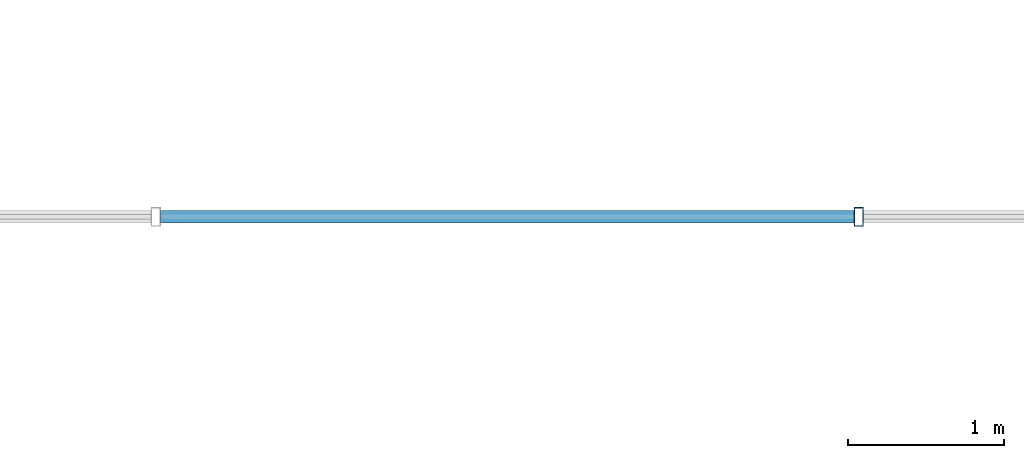
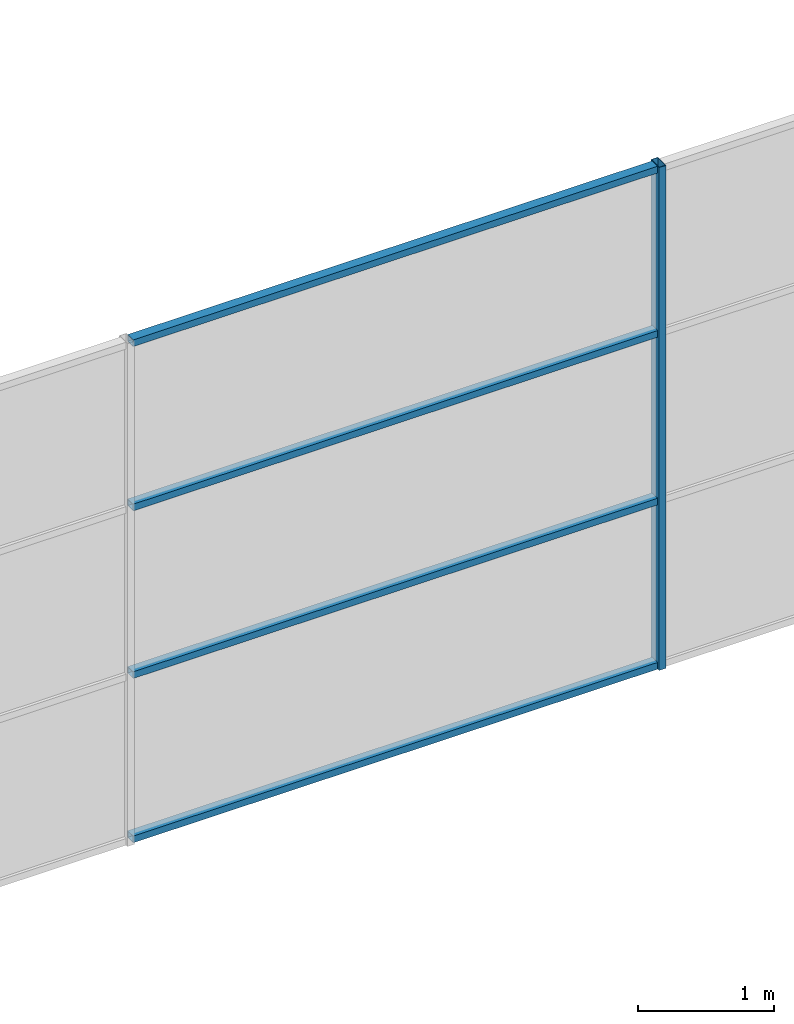
# One storey, part 21 of 111: 5 members, 1 element without a shape of its own.
"""IFC4 building model written with IfcOpenShell, lengths in metres."""

import ifcopenshell
import ifcopenshell.guid

model = None  # the IFC model being written
_history = None  # IfcOwnerHistory: only IFC2X3 demands one
_inside = {}  # id of a spatial element -> (the spatial element, [elements in it])
_under = {}  # id of a project, library or spatial element -> (it, [spatial elements below it])
_declared = {}  # id of a project -> (the project, [libraries it declares])
_typed = {}  # id of a type object -> (the type object, [elements of that type])
_made_of = {}  # id of a material, layer set ... -> (it, [elements and type objects made of it])


def new_model(schema):
    """Start an empty IFC model of exactly this schema.

    Asked for "IFC4X3", IfcOpenShell would pick the latest addendum, in which some entities
    have other attributes; the version numbers below select the first issue.
    IFC2X3 requires an IfcOwnerHistory on every rooted entity: one is made here for all.
    """
    global model, _history
    if schema == "IFC4X3":
        model = ifcopenshell.file(schema_version=(4, 3, 0, 0))
    else:
        model = ifcopenshell.file(schema=schema)
    _inside.clear()
    _under.clear()
    _declared.clear()
    _typed.clear()
    _made_of.clear()
    _history = None
    if model.schema == "IFC2X3":
        org = make("IfcOrganization", Name="unknown")
        user = make(
            "IfcPersonAndOrganization",
            ThePerson=make("IfcPerson", FamilyName="unknown"),
            TheOrganization=org,
        )
        app = make(
            "IfcApplication",
            ApplicationDeveloper=org,
            Version="unknown",
            ApplicationFullName="unknown",
            ApplicationIdentifier="unknown",
        )
        _history = make(
            "IfcOwnerHistory",
            OwningUser=user,
            OwningApplication=app,
            ChangeAction="ADDED",
            CreationDate=0,
        )
    return model


def make(cls, **values):
    """One entity of the class cls with the attributes given. An attribute that is None is left unset."""
    return model.create_entity(
        cls, **{name: value for name, value in values.items() if value is not None}
    )


def rooted(cls, **values):
    """An entity with a GlobalId (a new one), such as an element, a storey or a relation."""
    return make(cls, GlobalId=ifcopenshell.guid.new(), OwnerHistory=_history, **values)


def si_unit(unit_type, name, prefix=None):
    """IfcSIUnit, for example si_unit("LENGTHUNIT", "METRE", prefix="MILLI")."""
    return make("IfcSIUnit", UnitType=unit_type, Prefix=prefix, Name=name)


def assignment(units):
    """IfcUnitAssignment: the units of a project."""
    return None if units is None else make("IfcUnitAssignment", Units=units)


def point(xyz):
    """IfcCartesianPoint."""
    return None if xyz is None else make("IfcCartesianPoint", Coordinates=xyz)


def direction(xyz):
    """IfcDirection."""
    return None if xyz is None else make("IfcDirection", DirectionRatios=xyz)


def frame(location, z_axis=None, x_axis=None):
    """IfcAxis2Placement3D, a coordinate frame: its origin and axes. An axis left out is left unset."""
    return make(
        "IfcAxis2Placement3D",
        Location=point(location),
        Axis=direction(z_axis),
        RefDirection=direction(x_axis),
    )


def frame_2d(location, x_axis=None):
    """IfcAxis2Placement2D, a coordinate frame in the plane: its origin and x axis."""
    return make(
        "IfcAxis2Placement2D", Location=point(location), RefDirection=direction(x_axis)
    )


def origin():
    """The frame at (0, 0, 0) with its axes left unset."""
    return frame((0.0, 0.0, 0.0))


def origin_2d():
    """The frame at (0, 0) in the plane with its x axis left unset."""
    return frame_2d((0.0, 0.0))


def place(relative_to, where):
    """IfcLocalPlacement: puts the frame where relative to a parent placement (None: the world)."""
    return make(
        "IfcLocalPlacement", PlacementRelTo=relative_to, RelativePlacement=where
    )


def context(
    kind, dimensions, precision=None, world=None, true_north=None, identifier=None
):
    """IfcGeometricRepresentationContext, for example the 3D "Model" context."""
    return make(
        "IfcGeometricRepresentationContext",
        ContextIdentifier=identifier,
        ContextType=kind,
        CoordinateSpaceDimension=dimensions,
        Precision=precision,
        WorldCoordinateSystem=world,
        TrueNorth=true_north,
    )


def subcontext(parent, identifier, kind, view, scale=None):
    """IfcGeometricRepresentationSubContext, for example "Body" below "Model"."""
    return make(
        "IfcGeometricRepresentationSubContext",
        ContextIdentifier=identifier,
        ContextType=kind,
        ParentContext=parent,
        TargetScale=scale,
        TargetView=view,
    )


def project(units=None, contexts=None):
    """IfcProject with its units and contexts."""
    return rooted(
        "IfcProject",
        Name="project",
        RepresentationContexts=contexts,
        UnitsInContext=assignment(units),
    )


def spatial(cls, under=None, at=None, **own):
    """A site, building, storey or space (cls), placed at a placement, below another one or the project."""
    s = rooted(cls, ObjectPlacement=at, **own)
    if under is not None:
        _under.setdefault(under.id(), (under, []))[1].append(s)
    return s


def profile(cls, at=None, kind="AREA", **sizes):
    """A parametric profile (cls). Its sizes go by their IFC names, for example OverallWidth=200.0."""
    return make(cls, ProfileType=kind, Position=at, **sizes)


def hollow_rectangle(**sizes):
    """IfcRectangleHollowProfileDef."""
    return profile("IfcRectangleHollowProfileDef", **sizes)


def extrude(swept, where, along, depth):
    """IfcExtrudedAreaSolid: the profile swept, set in the frame where, extruded along a direction by depth."""
    return make(
        "IfcExtrudedAreaSolid",
        SweptArea=swept,
        Position=where,
        ExtrudedDirection=direction(along),
        Depth=depth,
    )


def shape(context_of_items, identifier, shape_type, items):
    """IfcShapeRepresentation: the items that make up one representation, for example the "Body"."""
    return make(
        "IfcShapeRepresentation",
        ContextOfItems=context_of_items,
        RepresentationIdentifier=identifier,
        RepresentationType=shape_type,
        Items=items,
    )


def material(Name=None, Category=None):
    """IfcMaterial."""
    return make("IfcMaterial", Name=Name, Category=Category)


def material_profile(
    of_material, cross_section, Name=None, Category=None, Priority=None
):
    """IfcMaterialProfile: a cross section and its material."""
    return make(
        "IfcMaterialProfile",
        Name=Name,
        Material=of_material,
        Profile=cross_section,
        Priority=Priority,
        Category=Category,
    )


def profile_set(profiles, Name=None, composite=None):
    """IfcMaterialProfileSet."""
    return make(
        "IfcMaterialProfileSet",
        Name=Name,
        MaterialProfiles=profiles,
        CompositeProfile=composite,
    )


def made_of(thing, what):
    """Note that an element or type object is made of a material, layer set ...; save() writes the relation."""
    if what is not None:
        _made_of.setdefault(what.id(), (what, []))[1].append(thing)
    return thing


def type_object(cls, material=None, **own):
    """A type object (cls), such as IfcWallType, which elements share."""
    return made_of(rooted(cls, **own), material)


def element(
    cls,
    number,
    at=None,
    inside=None,
    cuts=None,
    type_object=None,
    material=None,
    context=None,
    identifier="Body",
    shape_type=None,
    held_by="IfcProductDefinitionShape",
    body=None,
    shapes=None,
    **own,
):
    """One element of the class cls, such as IfcWall. Its Tag is "e" and its number.

    at: its placement. inside: the storey or other place that contains it. cuts: it is an
    opening in that element (IfcRelVoidsElement). A single representation is given by context,
    identifier, shape_type and body (its items); several are given by shapes. held_by: the class
    of the entity that holds the representations. save() writes the other relations.
    """
    e = rooted(cls, Tag="e%d" % number, ObjectPlacement=at, **own)
    if body is not None:
        shapes = [shape(context, identifier, shape_type, body)]
    if shapes is not None:
        e.Representation = make(held_by, Representations=shapes)
    if inside is not None:
        _inside.setdefault(inside.id(), (inside, []))[1].append(e)
    if cuts is not None:
        rooted(
            "IfcRelVoidsElement", RelatingBuildingElement=cuts, RelatedOpeningElement=e
        )
    if type_object is not None:
        _typed.setdefault(type_object.id(), (type_object, []))[1].append(e)
    return made_of(e, material)


def aggregate(whole, parts):
    """IfcRelAggregates: a whole, such as a stair, and the parts it consists of."""
    return rooted("IfcRelAggregates", RelatingObject=whole, RelatedObjects=parts)


def save(model, path):
    """Write the relations noted so far, then the file.

    IfcRelAggregates (storeys below a building ...), IfcRelContainedInSpatialStructure (elements
    in a storey), IfcRelDefinesByType, IfcRelAssociatesMaterial and IfcRelDeclares: one each for
    every whole, place, type object, material and project.
    """
    for whole, parts in _under.values():
        aggregate(whole, parts)
    for where, things in _inside.values():
        rooted(
            "IfcRelContainedInSpatialStructure",
            RelatedElements=things,
            RelatingStructure=where,
        )
    for kind, things in _typed.values():
        rooted("IfcRelDefinesByType", RelatedObjects=things, RelatingType=kind)
    for what, things in _made_of.values():
        rooted("IfcRelAssociatesMaterial", RelatedObjects=things, RelatingMaterial=what)
    for by, libraries in _declared.values():
        rooted("IfcRelDeclares", RelatingContext=by, RelatedDefinitions=libraries)
    model.write(path)


model = new_model("IFC4")

# Units and contexts
model_context = context("Model", 3, precision=1e-05, world=origin(), true_north=direction((0.0, 1.0)))
body_context = subcontext(model_context, "Body", "Model", "MODEL_VIEW")
ifc_project = project(units=[si_unit("LENGTHUNIT", "METRE"), si_unit("AREAUNIT", "SQUARE_METRE"), si_unit("VOLUMEUNIT", "CUBIC_METRE"), si_unit("PLANEANGLEUNIT", "RADIAN"), si_unit("MASSUNIT", "GRAM", prefix="KILO")], contexts=[model_context])

# Site, building, storey
site_placement = place(None, origin())
site = spatial("IfcSite", under=ifc_project, at=site_placement, CompositionType="ELEMENT")
building_placement = place(site_placement, origin())
building = spatial("IfcBuilding", under=site, at=building_placement, Name="Kallimachos Central Library", CompositionType="ELEMENT")
storey_placement = place(building_placement, frame((0.0, 0.0, 14.39990234375)))
storey = spatial("IfcBuildingStorey", under=building, at=storey_placement, Name="L03", CompositionType="ELEMENT", Elevation=14.39990234375)

# Curtain wall, members
ifc_material_1 = material(Name="Aluminium and laminated glass", Category="aluminium")
curtain_wall_type = type_object("IfcCurtainWallType", Name="Atrium glazed screen", PredefinedType="NOTDEFINED", material=ifc_material_1)
curtain_wall_placement = place(storey_placement, origin())
curtain_wall = element("IfcCurtainWall", 1, at=curtain_wall_placement, inside=storey, type_object=curtain_wall_type, Name="L03 atrium screen S", PredefinedType="NOTDEFINED")
ifc_material_2 = material(Name="Anodised aluminium", Category="aluminium")
ifc_material_profile_1 = material_profile(ifc_material_2, hollow_rectangle(XDim=0.06005859375, YDim=0.1201171875, WallThickness=0.00390625, at=origin_2d()), Name="ALU MULLION 60x120")
ifc_profile_set_1 = profile_set([ifc_material_profile_1], Name="Anodised aluminium")
member_type_1 = type_object("IfcMemberType", Name="Atrium screen mullion", PredefinedType="MULLION", material=ifc_profile_set_1)
member_1_placement = place(storey_placement, frame((83.5, 56.919921875, 0.0), z_axis=(0.0, 0.0, 1.0), x_axis=(1.0, 0.0, 0.0)))
member_1 = element("IfcMember", 2, at=member_1_placement, type_object=member_type_1, Name="CW mullion 3", PredefinedType="MULLION", context=body_context, shape_type="SweptSolid", body=[
    extrude(hollow_rectangle(XDim=0.06005859375, YDim=0.1201171875, WallThickness=0.00390625, at=origin_2d()), origin(), (0.0, 0.0, 1.0), 4.5),
])
ifc_material_3 = material(Name="Anodised aluminium", Category="aluminium")
ifc_material_profile_2 = material_profile(ifc_material_3, hollow_rectangle(XDim=0.06005859375, YDim=0.080078125, WallThickness=0.00390625, at=origin_2d()), Name="ALU TRANSOM 60x80")
ifc_profile_set_2 = profile_set([ifc_material_profile_2], Name="Anodised aluminium")
member_type_2 = type_object("IfcMemberType", Name="Atrium screen transom", PredefinedType="USERDEFINED", material=ifc_profile_set_2)
member_2_placement = place(storey_placement, frame((79.030029296875, 56.919921875, 0.030029296875), z_axis=(1.0, 0.0, 0.0), x_axis=(0.0, 0.0, 1.0)))
member_2 = element("IfcMember", 3, at=member_2_placement, type_object=member_type_2, Name="CW transom 2.1", ObjectType="TRANSOM", PredefinedType="USERDEFINED", context=body_context, shape_type="SweptSolid", body=[
    extrude(hollow_rectangle(XDim=0.06005859375, YDim=0.080078125, WallThickness=0.00390625, at=origin_2d()), origin(), (0.0, 0.0, 1.0), 4.43994140625),
])
member_3_placement = place(storey_placement, frame((79.030029296875, 56.919921875, 1.5), z_axis=(1.0, 0.0, 0.0), x_axis=(0.0, 0.0, 1.0)))
member_3 = element("IfcMember", 4, at=member_3_placement, type_object=member_type_2, Name="CW transom 2.2", ObjectType="TRANSOM", PredefinedType="USERDEFINED", context=body_context, shape_type="SweptSolid", body=[
    extrude(hollow_rectangle(XDim=0.06005859375, YDim=0.080078125, WallThickness=0.00390625, at=origin_2d()), origin(), (0.0, 0.0, 1.0), 4.43994140625),
])
member_4_placement = place(storey_placement, frame((79.030029296875, 56.919921875, 3.0), z_axis=(1.0, 0.0, 0.0), x_axis=(0.0, 0.0, 1.0)))
member_4 = element("IfcMember", 5, at=member_4_placement, type_object=member_type_2, Name="CW transom 2.3", ObjectType="TRANSOM", PredefinedType="USERDEFINED", context=body_context, shape_type="SweptSolid", body=[
    extrude(hollow_rectangle(XDim=0.06005859375, YDim=0.080078125, WallThickness=0.00390625, at=origin_2d()), origin(), (0.0, 0.0, 1.0), 4.43994140625),
])
member_5_placement = place(storey_placement, frame((79.030029296875, 56.919921875, 4.47021484375), z_axis=(1.0, 0.0, 0.0), x_axis=(0.0, 0.0, 1.0)))
member_5 = element("IfcMember", 6, at=member_5_placement, type_object=member_type_2, Name="CW transom 2.4", ObjectType="TRANSOM", PredefinedType="USERDEFINED", context=body_context, shape_type="SweptSolid", body=[
    extrude(hollow_rectangle(XDim=0.06005859375, YDim=0.080078125, WallThickness=0.00390625, at=origin_2d()), origin(), (0.0, 0.0, 1.0), 4.43994140625),
])
aggregate(curtain_wall, [member_1, member_2, member_3, member_4, member_5])

save(model, "model.ifc")
